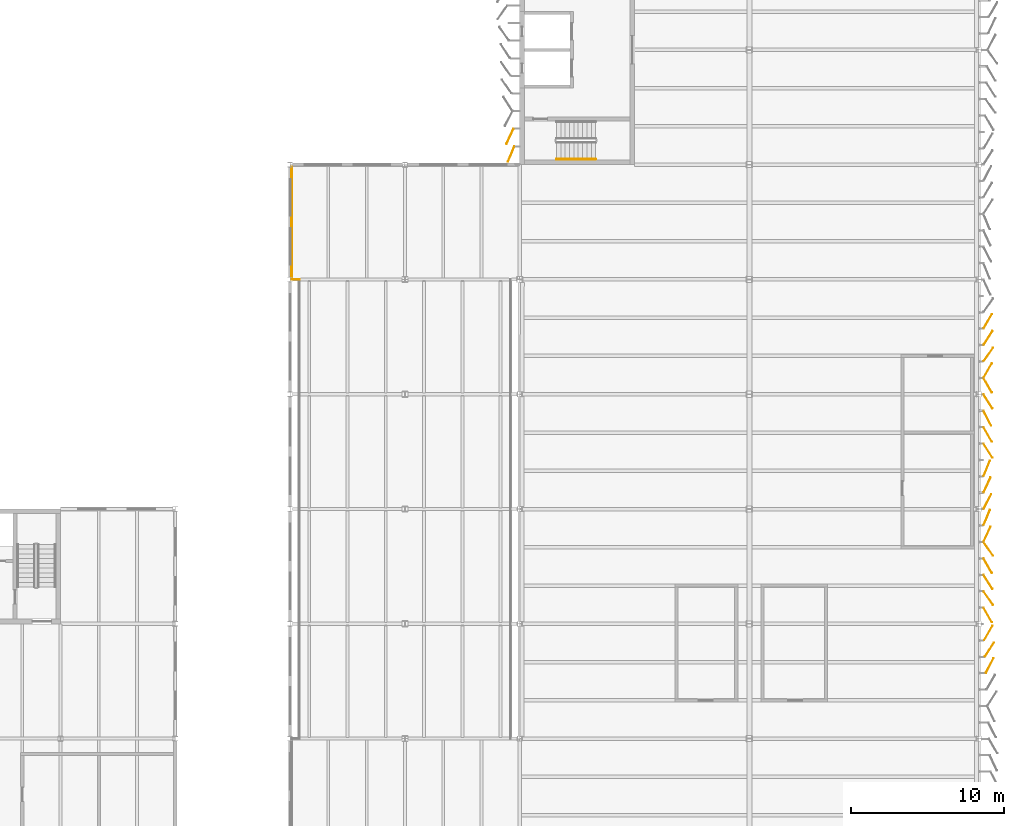
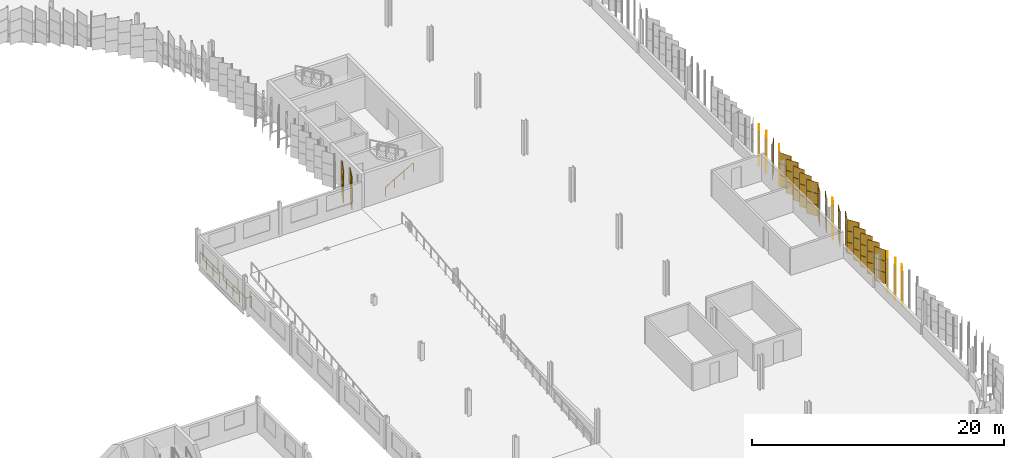
# One storey, part 205 of 214: 72 coverings, 2 railings.
"""IFC4 building model written with IfcOpenShell, lengths in metres."""

from ifc_helpers import new_model, si_unit, direction, frame, origin, origin_2d, place, context, subcontext, project, spatial, rectangle, circle, extrude, material, layer, layer_set, type_object, element, save


model = new_model("IFC4")

# Units and contexts
model_context = context("Model", 3, precision=1e-05, world=origin(), true_north=direction((0.0, 1.0)))
body_context = subcontext(model_context, "Body", "Model", "MODEL_VIEW")
ifc_project = project(units=[si_unit("LENGTHUNIT", "METRE"), si_unit("AREAUNIT", "SQUARE_METRE"), si_unit("VOLUMEUNIT", "CUBIC_METRE"), si_unit("PLANEANGLEUNIT", "RADIAN"), si_unit("MASSUNIT", "GRAM", prefix="KILO")], contexts=[model_context])

# Site, building, storey
site_placement = place(None, origin())
site = spatial("IfcSite", under=ifc_project, at=site_placement, CompositionType="ELEMENT")
building_placement = place(site_placement, origin())
building = spatial("IfcBuilding", under=site, at=building_placement, Name="Parallax Yard Mobility Hub", CompositionType="ELEMENT")
storey_placement = place(building_placement, frame((0.0, 0.0, 3.300048828125)))
storey = spatial("IfcBuildingStorey", under=building, at=storey_placement, Name="L01", CompositionType="ELEMENT", Elevation=3.300048828125)

# Railing
ifc_material_1 = material(Name="Steel ASTM A36", Category="steel")
railing_type_1 = type_object("IfcRailingType", Name="Landing edge guard 1100", PredefinedType="GUARDRAIL", material=ifc_material_1)
railing_1_placement = place(storey_placement, frame((180.60009765625, 67.5, 0.0)))
element("IfcRailing", 1, at=railing_1_placement, inside=storey, type_object=railing_type_1, Name="Ramp house north landing west edge guard level L01", PredefinedType="GUARDRAIL", context=body_context, shape_type="SweptSolid", body=[
    extrude(circle(Radius=0.02392578125, at=origin_2d()), frame((0.0, 0.0, 1.076171875), z_axis=(-1.0, 0.0, 0.0), x_axis=(0.0, -1.0, 0.0)), (0.0, 0.0, 1.0), 0.5),
    extrude(circle(Radius=0.02392578125, at=origin_2d()), frame((-0.5, 0.0, 1.076171875), z_axis=(0.0, 1.0, 0.0), x_axis=(-1.0, 0.0, 0.0)), (0.0, 0.0, 1.0), 7.346435546875),
    extrude(circle(Radius=0.02099609375, at=origin_2d()), origin(), (0.0, 0.0, 1.0), 1.052001953125),
    extrude(circle(Radius=0.02099609375, at=origin_2d()), frame((-0.5, 0.0, 0.0)), (0.0, 0.0, 1.0), 1.052001953125),
    extrude(circle(Radius=0.02099609375, at=origin_2d()), frame((-0.5, 1.049560546875, 0.0)), (0.0, 0.0, 1.0), 1.052001953125),
    extrude(circle(Radius=0.02099609375, at=origin_2d()), frame((-0.5, 2.098876953125, 0.0)), (0.0, 0.0, 1.0), 1.052001953125),
    extrude(circle(Radius=0.02099609375, at=origin_2d()), frame((-0.5, 3.1484375, 0.0)), (0.0, 0.0, 1.0), 1.052001953125),
    extrude(circle(Radius=0.02099609375, at=origin_2d()), frame((-0.5, 4.197998046875, 0.0)), (0.0, 0.0, 1.0), 1.052001953125),
    extrude(circle(Radius=0.02099609375, at=origin_2d()), frame((-0.5, 5.24755859375, 0.0)), (0.0, 0.0, 1.0), 1.052001953125),
    extrude(circle(Radius=0.02099609375, at=origin_2d()), frame((-0.5, 6.296875, 0.0)), (0.0, 0.0, 1.0), 1.052001953125),
    extrude(circle(Radius=0.02099609375, at=origin_2d()), frame((-0.5, 7.346435546875, 0.0)), (0.0, 0.0, 1.0), 1.052001953125),
])

# Coverings
ifc_material_2 = material(Name="Aluminium panel, light oak finish", Category="aluminium")
ifc_layer_1 = layer(ifc_material_2, 0.030029296875)
ifc_layer_set_1 = layer_set([ifc_layer_1], Name="Skin panel 22.5 degree turn, oak finish")
covering_type_1 = type_object("IfcCoveringType", Name="Skin panel 22.5 degree turn, oak finish", PredefinedType="CLADDING", material=ifc_layer_set_1)
for number, where, z_axis, x_axis, name in (
    (2, (225.512939453125, 51.93408203125, 1.119873046875), (0.0, 0.0, 1.0), (0.382683432365, 0.923879532511, 0.0), "Skin panel 22.5 bay 35.7 row 2 level L01"),
    (3, (225.512939453125, 51.93408203125, 2.219970703125), (0.0, 0.0, 1.0), (0.382683432365, 0.923879532511, 0.0), "Skin panel 22.5 bay 35.7 row 3 level L01"),
    (4, (225.512939453125, 55.1494140625, 1.119873046875), (0.0, 0.0, 1.0), (0.382683432365, 0.923879532511, 0.0), "Skin panel 22.5 bay 36.3 row 2 level L01"),
    (5, (225.512939453125, 55.1494140625, 2.219970703125), (0.0, 0.0, 1.0), (0.382683432365, 0.923879532511, 0.0), "Skin panel 22.5 bay 36.3 row 3 level L01"),
    (6, (194.439453125, 75.683349609375, 1.119873046875), (0.0, 0.0, 1.0), (-0.382683432365, -0.923879532511, 0.0), "Skin panel 22.5 bay 23.13 row 2 level L01"),
    (7, (194.439453125, 75.683349609375, 2.219970703125), (0.0, 0.0, 1.0), (-0.382683432365, -0.923879532511, 0.0), "Skin panel 22.5 bay 23.13 row 3 level L01"),
):
    element("IfcCovering", number, at=place(storey_placement, frame(where, z_axis=z_axis, x_axis=x_axis)), inside=storey, type_object=covering_type_1, Name=name, ObjectType="SCREEN", PredefinedType="CLADDING", context=body_context, shape_type="SweptSolid", body=[
        extrude(rectangle(XDim=1.080078125, YDim=0.030029296875, at=origin_2d()), origin(), (0.0, 0.0, 1.0), 1.080078125),
    ])
ifc_material_3 = material(Name="Aluminium panel, walnut finish", Category="aluminium")
ifc_layer_2 = layer(ifc_material_3, 0.030029296875)
ifc_layer_set_2 = layer_set([ifc_layer_2], Name="Skin panel 22.5 degree turn, walnut finish")
covering_type_2 = type_object("IfcCoveringType", Name="Skin panel 22.5 degree turn, walnut finish", PredefinedType="CLADDING", material=ifc_layer_set_2)
for number, where, z_axis, x_axis, name in (
    (8, (225.512939453125, 51.93408203125, 0.02001953125), (0.0, 0.0, 1.0), (0.382683432365, 0.923879532511, 0.0), "Skin panel 22.5 bay 35.7 row 1 level L01"),
    (9, (225.512939453125, 55.1494140625, 0.02001953125), (0.0, 0.0, 1.0), (0.382683432365, 0.923879532511, 0.0), "Skin panel 22.5 bay 36.3 row 1 level L01"),
    (10, (194.439453125, 75.683349609375, 0.02001953125), (0.0, 0.0, 1.0), (-0.382683432365, -0.923879532511, 0.0), "Skin panel 22.5 bay 23.13 row 1 level L01"),
):
    element("IfcCovering", number, at=place(storey_placement, frame(where, z_axis=z_axis, x_axis=x_axis)), inside=storey, type_object=covering_type_2, Name=name, ObjectType="SCREEN", PredefinedType="CLADDING", context=body_context, shape_type="SweptSolid", body=[
        extrude(rectangle(XDim=1.080078125, YDim=0.030029296875, at=origin_2d()), origin(), (0.0, 0.0, 1.0), 1.080078125),
    ])
ifc_layer_3 = layer(ifc_material_2, 0.030029296875)
ifc_layer_set_3 = layer_set([ifc_layer_3], Name="Skin panel 25 degree turn, oak finish")
covering_type_3 = type_object("IfcCoveringType", Name="Skin panel 25 degree turn, oak finish", PredefinedType="CLADDING", material=ifc_layer_set_3)
for number, where, z_axis, x_axis, name in (
    (11, (225.53515625, 50.8525390625, 1.119873046875), (0.0, 0.0, 1.0), (0.422618261741, 0.906307787037, 0.0), "Skin panel 25 bay 35.6 row 2 level L01"),
    (12, (225.53515625, 50.8525390625, 2.219970703125), (0.0, 0.0, 1.0), (0.422618261741, 0.906307787037, 0.0), "Skin panel 25 bay 35.6 row 3 level L01"),
    (13, (225.53515625, 54.06787109375, 1.119873046875), (0.0, 0.0, 1.0), (0.422618261741, 0.906307787037, 0.0), "Skin panel 25 bay 36.2 row 2 level L01"),
    (14, (225.53515625, 54.06787109375, 2.219970703125), (0.0, 0.0, 1.0), (0.422618261741, 0.906307787037, 0.0), "Skin panel 25 bay 36.2 row 3 level L01"),
    (15, (194.359619140625, 76.843505859375, 1.119873046875), (0.0, 0.0, 1.0), (-0.422618261741, -0.906307787037, 0.0), "Skin panel 25 bay 23.12 row 2 level L01"),
    (16, (194.359619140625, 76.843505859375, 2.219970703125), (0.0, 0.0, 1.0), (-0.422618261741, -0.906307787037, 0.0), "Skin panel 25 bay 23.12 row 3 level L01"),
):
    element("IfcCovering", number, at=place(storey_placement, frame(where, z_axis=z_axis, x_axis=x_axis)), inside=storey, type_object=covering_type_3, Name=name, ObjectType="SCREEN", PredefinedType="CLADDING", context=body_context, shape_type="SweptSolid", body=[
        extrude(rectangle(XDim=1.080078125, YDim=0.030029296875, at=origin_2d()), origin(), (0.0, 0.0, 1.0), 1.080078125),
    ])
ifc_layer_4 = layer(ifc_material_3, 0.030029296875)
ifc_layer_set_4 = layer_set([ifc_layer_4], Name="Skin panel 25 degree turn, walnut finish")
covering_type_4 = type_object("IfcCoveringType", Name="Skin panel 25 degree turn, walnut finish", PredefinedType="CLADDING", material=ifc_layer_set_4)
for number, where, z_axis, x_axis, name in (
    (17, (225.53515625, 50.8525390625, 0.02001953125), (0.0, 0.0, 1.0), (0.422618261741, 0.906307787037, 0.0), "Skin panel 25 bay 35.6 row 1 level L01"),
    (18, (225.53515625, 54.06787109375, 0.02001953125), (0.0, 0.0, 1.0), (0.422618261741, 0.906307787037, 0.0), "Skin panel 25 bay 36.2 row 1 level L01"),
    (19, (194.359619140625, 76.843505859375, 0.02001953125), (0.0, 0.0, 1.0), (-0.422618261741, -0.906307787037, 0.0), "Skin panel 25 bay 23.12 row 1 level L01"),
):
    element("IfcCovering", number, at=place(storey_placement, frame(where, z_axis=z_axis, x_axis=x_axis)), inside=storey, type_object=covering_type_4, Name=name, ObjectType="SCREEN", PredefinedType="CLADDING", context=body_context, shape_type="SweptSolid", body=[
        extrude(rectangle(XDim=1.080078125, YDim=0.030029296875, at=origin_2d()), origin(), (0.0, 0.0, 1.0), 1.080078125),
    ])
ifc_layer_5 = layer(ifc_material_2, 0.030029296875)
ifc_layer_set_5 = layer_set([ifc_layer_5], Name="Skin panel 27.5 degree turn, oak finish")
covering_type_5 = type_object("IfcCoveringType", Name="Skin panel 27.5 degree turn, oak finish", PredefinedType="CLADDING", material=ifc_layer_set_5)
for number, where, z_axis, x_axis, name in (
    (20, (225.705078125, 42.26806640625, 1.119873046875), (0.0, 0.0, 1.0), (0.461748613235, 0.887010833178, 0.0), "Skin panel 27.5 bay 34.5 row 2 level L01"),
    (21, (225.705078125, 42.26806640625, 2.219970703125), (0.0, 0.0, 1.0), (0.461748613235, 0.887010833178, 0.0), "Skin panel 27.5 bay 34.5 row 3 level L01"),
    (22, (225.556884765625, 52.9853515625, 1.119873046875), (0.0, 0.0, 1.0), (0.461748613235, 0.887010833178, 0.0), "Skin panel 27.5 bay 36.1 row 2 level L01"),
    (23, (225.556884765625, 52.9853515625, 2.219970703125), (0.0, 0.0, 1.0), (0.461748613235, 0.887010833178, 0.0), "Skin panel 27.5 bay 36.1 row 3 level L01"),
    (24, (225.556884765625, 58.4287109375, 1.119873046875), (0.0, 0.0, 1.0), (0.461748613235, -0.887010833178, 0.0), "Skin panel 27.5 bay 36.6 row 2 level L01"),
    (25, (225.556884765625, 58.4287109375, 2.219970703125), (0.0, 0.0, 1.0), (0.461748613235, -0.887010833178, 0.0), "Skin panel 27.5 bay 36.6 row 3 level L01"),
):
    element("IfcCovering", number, at=place(storey_placement, frame(where, z_axis=z_axis, x_axis=x_axis)), inside=storey, type_object=covering_type_5, Name=name, ObjectType="SCREEN", PredefinedType="CLADDING", context=body_context, shape_type="SweptSolid", body=[
        extrude(rectangle(XDim=1.080078125, YDim=0.030029296875, at=origin_2d()), origin(), (0.0, 0.0, 1.0), 1.080078125),
    ])
ifc_layer_6 = layer(ifc_material_3, 0.030029296875)
ifc_layer_set_6 = layer_set([ifc_layer_6], Name="Skin panel 27.5 degree turn, walnut finish")
covering_type_6 = type_object("IfcCoveringType", Name="Skin panel 27.5 degree turn, walnut finish", PredefinedType="CLADDING", material=ifc_layer_set_6)
for number, where, z_axis, x_axis, name in (
    (26, (225.705078125, 42.26806640625, 0.02001953125), (0.0, 0.0, 1.0), (0.461748613235, 0.887010833178, 0.0), "Skin panel 27.5 bay 34.5 row 1 level L01"),
    (27, (225.556884765625, 52.9853515625, 0.02001953125), (0.0, 0.0, 1.0), (0.461748613235, 0.887010833178, 0.0), "Skin panel 27.5 bay 36.1 row 1 level L01"),
    (28, (225.556884765625, 58.4287109375, 0.02001953125), (0.0, 0.0, 1.0), (0.461748613235, -0.887010833178, 0.0), "Skin panel 27.5 bay 36.6 row 1 level L01"),
):
    element("IfcCovering", number, at=place(storey_placement, frame(where, z_axis=z_axis, x_axis=x_axis)), inside=storey, type_object=covering_type_6, Name=name, ObjectType="SCREEN", PredefinedType="CLADDING", context=body_context, shape_type="SweptSolid", body=[
        extrude(rectangle(XDim=1.080078125, YDim=0.030029296875, at=origin_2d()), origin(), (0.0, 0.0, 1.0), 1.080078125),
    ])
ifc_layer_7 = layer(ifc_material_2, 0.030029296875)
ifc_layer_set_7 = layer_set([ifc_layer_7], Name="Skin panel 30 degree turn, oak finish")
covering_type_7 = type_object("IfcCoveringType", Name="Skin panel 30 degree turn, oak finish", PredefinedType="CLADDING", material=ifc_layer_set_7)
for number, where, z_axis, x_axis, name in (
    (29, (225.619140625, 44.39990234375, 1.119873046875), (0.0, 0.0, 1.0), (0.5, 0.866025403784, 0.0), "Skin panel 30 bay 34.7 row 2 level L01"),
    (30, (225.619140625, 44.39990234375, 2.219970703125), (0.0, 0.0, 1.0), (0.5, 0.866025403784, 0.0), "Skin panel 30 bay 34.7 row 3 level L01"),
    (31, (225.578125, 45.57958984375, 1.119873046875), (0.0, 0.0, 1.0), (0.5, -0.866025403784, 0.0), "Skin panel 30 bay 35.1 row 2 level L01"),
    (32, (225.578125, 45.57958984375, 2.219970703125), (0.0, 0.0, 1.0), (0.5, -0.866025403784, 0.0), "Skin panel 30 bay 35.1 row 3 level L01"),
    (33, (225.578125, 48.794921875, 1.119873046875), (0.0, 0.0, 1.0), (0.5, -0.866025403784, 0.0), "Skin panel 30 bay 35.4 row 2 level L01"),
    (34, (225.578125, 48.794921875, 2.219970703125), (0.0, 0.0, 1.0), (0.5, -0.866025403784, 0.0), "Skin panel 30 bay 35.4 row 3 level L01"),
    (35, (225.578125, 57.36865234375, 1.119873046875), (0.0, 0.0, 1.0), (0.5, -0.866025403784, 0.0), "Skin panel 30 bay 36.5 row 2 level L01"),
    (36, (225.578125, 57.36865234375, 2.219970703125), (0.0, 0.0, 1.0), (0.5, -0.866025403784, 0.0), "Skin panel 30 bay 36.5 row 3 level L01"),
    (37, (225.578125, 60.583984375, 1.119873046875), (0.0, 0.0, 1.0), (0.5, -0.866025403784, 0.0), "Skin panel 30 bay 37.1 row 2 level L01"),
    (38, (225.578125, 60.583984375, 2.219970703125), (0.0, 0.0, 1.0), (0.5, -0.866025403784, 0.0), "Skin panel 30 bay 37.1 row 3 level L01"),
    (39, (225.578125, 61.547607421875, 1.119873046875), (0.0, 0.0, 1.0), (0.5, 0.866025403784, 0.0), "Skin panel 30 bay 37.2 row 2 level L01"),
    (40, (225.578125, 61.547607421875, 2.219970703125), (0.0, 0.0, 1.0), (0.5, 0.866025403784, 0.0), "Skin panel 30 bay 37.2 row 3 level L01"),
    (41, (225.578125, 64.7626953125, 1.119873046875), (0.0, 0.0, 1.0), (0.5, 0.866025403784, 0.0), "Skin panel 30 bay 37.5 row 2 level L01"),
    (42, (225.578125, 64.7626953125, 2.219970703125), (0.0, 0.0, 1.0), (0.5, 0.866025403784, 0.0), "Skin panel 30 bay 37.5 row 3 level L01"),
):
    element("IfcCovering", number, at=place(storey_placement, frame(where, z_axis=z_axis, x_axis=x_axis)), inside=storey, type_object=covering_type_7, Name=name, ObjectType="SCREEN", PredefinedType="CLADDING", context=body_context, shape_type="SweptSolid", body=[
        extrude(rectangle(XDim=1.080078125, YDim=0.030029296875, at=origin_2d()), origin(), (0.0, 0.0, 1.0), 1.080078125),
    ])
ifc_layer_8 = layer(ifc_material_3, 0.030029296875)
ifc_layer_set_8 = layer_set([ifc_layer_8], Name="Skin panel 30 degree turn, walnut finish")
covering_type_8 = type_object("IfcCoveringType", Name="Skin panel 30 degree turn, walnut finish", PredefinedType="CLADDING", material=ifc_layer_set_8)
for number, where, z_axis, x_axis, name in (
    (43, (225.619140625, 44.39990234375, 0.02001953125), (0.0, 0.0, 1.0), (0.5, 0.866025403784, 0.0), "Skin panel 30 bay 34.7 row 1 level L01"),
    (44, (225.578125, 45.57958984375, 0.02001953125), (0.0, 0.0, 1.0), (0.5, -0.866025403784, 0.0), "Skin panel 30 bay 35.1 row 1 level L01"),
    (45, (225.578125, 48.794921875, 0.02001953125), (0.0, 0.0, 1.0), (0.5, -0.866025403784, 0.0), "Skin panel 30 bay 35.4 row 1 level L01"),
    (46, (225.578125, 57.36865234375, 0.02001953125), (0.0, 0.0, 1.0), (0.5, -0.866025403784, 0.0), "Skin panel 30 bay 36.5 row 1 level L01"),
    (47, (225.578125, 60.583984375, 0.02001953125), (0.0, 0.0, 1.0), (0.5, -0.866025403784, 0.0), "Skin panel 30 bay 37.1 row 1 level L01"),
    (48, (225.578125, 61.547607421875, 0.02001953125), (0.0, 0.0, 1.0), (0.5, 0.866025403784, 0.0), "Skin panel 30 bay 37.2 row 1 level L01"),
    (49, (225.578125, 64.7626953125, 0.02001953125), (0.0, 0.0, 1.0), (0.5, 0.866025403784, 0.0), "Skin panel 30 bay 37.5 row 1 level L01"),
):
    element("IfcCovering", number, at=place(storey_placement, frame(where, z_axis=z_axis, x_axis=x_axis)), inside=storey, type_object=covering_type_8, Name=name, ObjectType="SCREEN", PredefinedType="CLADDING", context=body_context, shape_type="SweptSolid", body=[
        extrude(rectangle(XDim=1.080078125, YDim=0.030029296875, at=origin_2d()), origin(), (0.0, 0.0, 1.0), 1.080078125),
    ])
ifc_layer_9 = layer(ifc_material_2, 0.030029296875)
ifc_layer_set_9 = layer_set([ifc_layer_9], Name="Skin panel 32.5 degree turn, oak finish")
covering_type_9 = type_object("IfcCoveringType", Name="Skin panel 32.5 degree turn, oak finish", PredefinedType="CLADDING", material=ifc_layer_set_9)
for number, where, z_axis, x_axis, name in (
    (50, (225.693603515625, 43.3154296875, 1.119873046875), (0.0, 0.0, 1.0), (0.537299608347, 0.843391445813, 0.0), "Skin panel 32.5 bay 34.6 row 2 level L01"),
    (51, (225.693603515625, 43.3154296875, 2.219970703125), (0.0, 0.0, 1.0), (0.537299608347, 0.843391445813, 0.0), "Skin panel 32.5 bay 34.6 row 3 level L01"),
    (52, (225.598876953125, 47.735595703125, 1.119873046875), (0.0, 0.0, 1.0), (0.537299608347, -0.843391445813, 0.0), "Skin panel 32.5 bay 35.3 row 2 level L01"),
    (53, (225.598876953125, 47.735595703125, 2.219970703125), (0.0, 0.0, 1.0), (0.537299608347, -0.843391445813, 0.0), "Skin panel 32.5 bay 35.3 row 3 level L01"),
    (54, (225.598876953125, 56.3095703125, 1.119873046875), (0.0, 0.0, 1.0), (0.537299608347, -0.843391445813, 0.0), "Skin panel 32.5 bay 36.4 row 2 level L01"),
    (55, (225.598876953125, 56.3095703125, 2.219970703125), (0.0, 0.0, 1.0), (0.537299608347, -0.843391445813, 0.0), "Skin panel 32.5 bay 36.4 row 3 level L01"),
    (56, (225.598876953125, 59.52490234375, 1.119873046875), (0.0, 0.0, 1.0), (0.537299608347, -0.843391445813, 0.0), "Skin panel 32.5 bay 36.7 row 2 level L01"),
    (57, (225.598876953125, 59.52490234375, 2.219970703125), (0.0, 0.0, 1.0), (0.537299608347, -0.843391445813, 0.0), "Skin panel 32.5 bay 36.7 row 3 level L01"),
    (58, (225.598876953125, 63.678466796875, 1.119873046875), (0.0, 0.0, 1.0), (0.537299608347, 0.843391445813, 0.0), "Skin panel 32.5 bay 37.4 row 2 level L01"),
    (59, (225.598876953125, 63.678466796875, 2.219970703125), (0.0, 0.0, 1.0), (0.537299608347, 0.843391445813, 0.0), "Skin panel 32.5 bay 37.4 row 3 level L01"),
):
    element("IfcCovering", number, at=place(storey_placement, frame(where, z_axis=z_axis, x_axis=x_axis)), inside=storey, type_object=covering_type_9, Name=name, ObjectType="SCREEN", PredefinedType="CLADDING", context=body_context, shape_type="SweptSolid", body=[
        extrude(rectangle(XDim=1.080078125, YDim=0.030029296875, at=origin_2d()), origin(), (0.0, 0.0, 1.0), 1.080078125),
    ])
ifc_layer_10 = layer(ifc_material_3, 0.030029296875)
ifc_layer_set_10 = layer_set([ifc_layer_10], Name="Skin panel 32.5 degree turn, walnut finish")
covering_type_10 = type_object("IfcCoveringType", Name="Skin panel 32.5 degree turn, walnut finish", PredefinedType="CLADDING", material=ifc_layer_set_10)
for number, where, z_axis, x_axis, name in (
    (60, (225.693603515625, 43.3154296875, 0.02001953125), (0.0, 0.0, 1.0), (0.537299608347, 0.843391445813, 0.0), "Skin panel 32.5 bay 34.6 row 1 level L01"),
    (61, (225.598876953125, 47.735595703125, 0.02001953125), (0.0, 0.0, 1.0), (0.537299608347, -0.843391445813, 0.0), "Skin panel 32.5 bay 35.3 row 1 level L01"),
    (62, (225.598876953125, 56.3095703125, 0.02001953125), (0.0, 0.0, 1.0), (0.537299608347, -0.843391445813, 0.0), "Skin panel 32.5 bay 36.4 row 1 level L01"),
    (63, (225.598876953125, 59.52490234375, 0.02001953125), (0.0, 0.0, 1.0), (0.537299608347, -0.843391445813, 0.0), "Skin panel 32.5 bay 36.7 row 1 level L01"),
    (64, (225.598876953125, 63.678466796875, 0.02001953125), (0.0, 0.0, 1.0), (0.537299608347, 0.843391445813, 0.0), "Skin panel 32.5 bay 37.4 row 1 level L01"),
):
    element("IfcCovering", number, at=place(storey_placement, frame(where, z_axis=z_axis, x_axis=x_axis)), inside=storey, type_object=covering_type_10, Name=name, ObjectType="SCREEN", PredefinedType="CLADDING", context=body_context, shape_type="SweptSolid", body=[
        extrude(rectangle(XDim=1.080078125, YDim=0.030029296875, at=origin_2d()), origin(), (0.0, 0.0, 1.0), 1.080078125),
    ])
ifc_layer_11 = layer(ifc_material_2, 0.030029296875)
ifc_layer_set_11 = layer_set([ifc_layer_11], Name="Skin panel 35 degree turn, oak finish")
covering_type_11 = type_object("IfcCoveringType", Name="Skin panel 35 degree turn, oak finish", PredefinedType="CLADDING", material=ifc_layer_set_11)
for number, where, z_axis, x_axis, name in (
    (65, (225.619140625, 46.677490234375, 1.119873046875), (0.0, 0.0, 1.0), (0.573576436351, -0.819152044289, 0.0), "Skin panel 35 bay 35.2 row 2 level L01"),
    (66, (225.619140625, 46.677490234375, 2.219970703125), (0.0, 0.0, 1.0), (0.573576436351, -0.819152044289, 0.0), "Skin panel 35 bay 35.2 row 3 level L01"),
    (67, (225.619140625, 49.892578125, 1.119873046875), (0.0, 0.0, 1.0), (0.573576436351, -0.819152044289, 0.0), "Skin panel 35 bay 35.5 row 2 level L01"),
    (68, (225.619140625, 49.892578125, 2.219970703125), (0.0, 0.0, 1.0), (0.573576436351, -0.819152044289, 0.0), "Skin panel 35 bay 35.5 row 3 level L01"),
    (69, (225.619140625, 62.59326171875, 1.119873046875), (0.0, 0.0, 1.0), (0.573576436351, 0.819152044289, 0.0), "Skin panel 35 bay 37.3 row 2 level L01"),
    (70, (225.619140625, 62.59326171875, 2.219970703125), (0.0, 0.0, 1.0), (0.573576436351, 0.819152044289, 0.0), "Skin panel 35 bay 37.3 row 3 level L01"),
):
    element("IfcCovering", number, at=place(storey_placement, frame(where, z_axis=z_axis, x_axis=x_axis)), inside=storey, type_object=covering_type_11, Name=name, ObjectType="SCREEN", PredefinedType="CLADDING", context=body_context, shape_type="SweptSolid", body=[
        extrude(rectangle(XDim=1.080078125, YDim=0.030029296875, at=origin_2d()), origin(), (0.0, 0.0, 1.0), 1.080078125),
    ])
ifc_layer_12 = layer(ifc_material_3, 0.030029296875)
ifc_layer_set_12 = layer_set([ifc_layer_12], Name="Skin panel 35 degree turn, walnut finish")
covering_type_12 = type_object("IfcCoveringType", Name="Skin panel 35 degree turn, walnut finish", PredefinedType="CLADDING", material=ifc_layer_set_12)
for number, where, z_axis, x_axis, name in (
    (71, (225.619140625, 46.677490234375, 0.02001953125), (0.0, 0.0, 1.0), (0.573576436351, -0.819152044289, 0.0), "Skin panel 35 bay 35.2 row 1 level L01"),
    (72, (225.619140625, 49.892578125, 0.02001953125), (0.0, 0.0, 1.0), (0.573576436351, -0.819152044289, 0.0), "Skin panel 35 bay 35.5 row 1 level L01"),
    (73, (225.619140625, 62.59326171875, 0.02001953125), (0.0, 0.0, 1.0), (0.573576436351, 0.819152044289, 0.0), "Skin panel 35 bay 37.3 row 1 level L01"),
):
    element("IfcCovering", number, at=place(storey_placement, frame(where, z_axis=z_axis, x_axis=x_axis)), inside=storey, type_object=covering_type_12, Name=name, ObjectType="SCREEN", PredefinedType="CLADDING", context=body_context, shape_type="SweptSolid", body=[
        extrude(rectangle(XDim=1.080078125, YDim=0.030029296875, at=origin_2d()), origin(), (0.0, 0.0, 1.0), 1.080078125),
    ])

# Railing
railing_type_2 = type_object("IfcRailingType", Name="Stair handrail", PredefinedType="HANDRAIL", material=ifc_material_1)
railing_2_placement = place(storey_placement, frame((197.39990234375, 75.35009765625, 0.1650390625)))
element("IfcRailing", 74, at=railing_2_placement, inside=storey, type_object=railing_type_2, Name="L01 ST7 stair handrail 1", PredefinedType="HANDRAIL", context=body_context, shape_type="SweptSolid", body=[
    extrude(circle(Radius=0.02392578125, at=origin_2d()), frame((0.0, 0.0, 0.8310546875), z_axis=(0.865461999751, 0.0, 0.500974577186), x_axis=(0.0, 1.0, 0.0)), (0.0, 0.0, 1.0), 2.9638671875),
    extrude(circle(Radius=0.02099609375, at=origin_2d()), origin(), (0.0, 0.0, 1.0), 0.806884765625),
    extrude(circle(Radius=0.02099609375, at=origin_2d()), frame((0.85498046875, 0.0, 0.494873046875)), (0.0, 0.0, 1.0), 0.806884765625),
    extrude(circle(Radius=0.02099609375, at=origin_2d()), frame((1.710205078125, 0.0, 0.989990234375)), (0.0, 0.0, 1.0), 0.806884765625),
    extrude(circle(Radius=0.02099609375, at=origin_2d()), frame((2.565185546875, 0.0, 1.48486328125)), (0.0, 0.0, 1.0), 0.806884765625),
])

save(model, "model.ifc")
